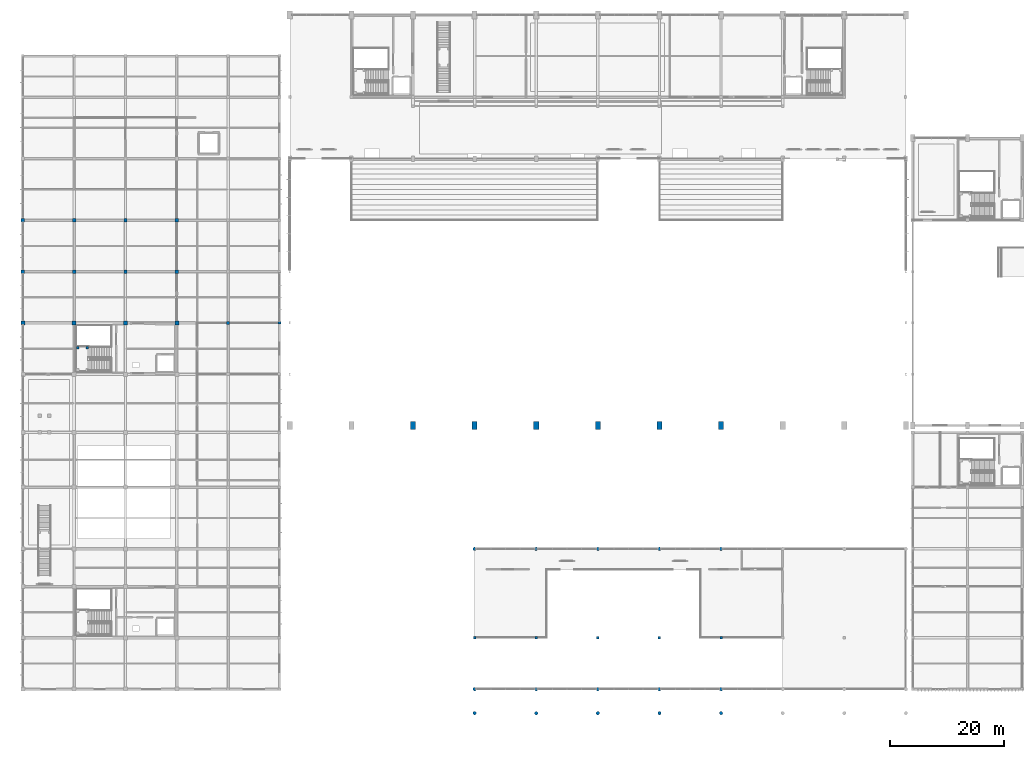
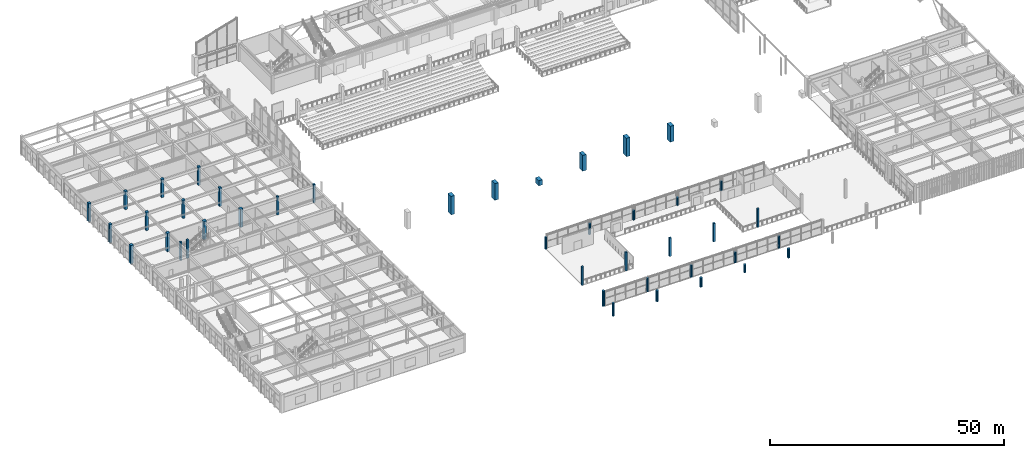
# One storey, part 3 of 74: 42 columns.
"""IFC4 building model written with IfcOpenShell, lengths in metres."""

import ifcopenshell
import ifcopenshell.guid

model = None  # the IFC model being written
_history = None  # IfcOwnerHistory: only IFC2X3 demands one
_inside = {}  # id of a spatial element -> (the spatial element, [elements in it])
_under = {}  # id of a project, library or spatial element -> (it, [spatial elements below it])
_declared = {}  # id of a project -> (the project, [libraries it declares])
_typed = {}  # id of a type object -> (the type object, [elements of that type])
_made_of = {}  # id of a material, layer set ... -> (it, [elements and type objects made of it])


def new_model(schema):
    """Start an empty IFC model of exactly this schema.

    Asked for "IFC4X3", IfcOpenShell would pick the latest addendum, in which some entities
    have other attributes; the version numbers below select the first issue.
    IFC2X3 requires an IfcOwnerHistory on every rooted entity: one is made here for all.
    """
    global model, _history
    if schema == "IFC4X3":
        model = ifcopenshell.file(schema_version=(4, 3, 0, 0))
    else:
        model = ifcopenshell.file(schema=schema)
    _inside.clear()
    _under.clear()
    _declared.clear()
    _typed.clear()
    _made_of.clear()
    _history = None
    if model.schema == "IFC2X3":
        org = make("IfcOrganization", Name="unknown")
        user = make(
            "IfcPersonAndOrganization",
            ThePerson=make("IfcPerson", FamilyName="unknown"),
            TheOrganization=org,
        )
        app = make(
            "IfcApplication",
            ApplicationDeveloper=org,
            Version="unknown",
            ApplicationFullName="unknown",
            ApplicationIdentifier="unknown",
        )
        _history = make(
            "IfcOwnerHistory",
            OwningUser=user,
            OwningApplication=app,
            ChangeAction="ADDED",
            CreationDate=0,
        )
    return model


def make(cls, **values):
    """One entity of the class cls with the attributes given. An attribute that is None is left unset."""
    return model.create_entity(
        cls, **{name: value for name, value in values.items() if value is not None}
    )


def rooted(cls, **values):
    """An entity with a GlobalId (a new one), such as an element, a storey or a relation."""
    return make(cls, GlobalId=ifcopenshell.guid.new(), OwnerHistory=_history, **values)


def si_unit(unit_type, name, prefix=None):
    """IfcSIUnit, for example si_unit("LENGTHUNIT", "METRE", prefix="MILLI")."""
    return make("IfcSIUnit", UnitType=unit_type, Prefix=prefix, Name=name)


def assignment(units):
    """IfcUnitAssignment: the units of a project."""
    return None if units is None else make("IfcUnitAssignment", Units=units)


def point(xyz):
    """IfcCartesianPoint."""
    return None if xyz is None else make("IfcCartesianPoint", Coordinates=xyz)


def direction(xyz):
    """IfcDirection."""
    return None if xyz is None else make("IfcDirection", DirectionRatios=xyz)


def frame(location, z_axis=None, x_axis=None):
    """IfcAxis2Placement3D, a coordinate frame: its origin and axes. An axis left out is left unset."""
    return make(
        "IfcAxis2Placement3D",
        Location=point(location),
        Axis=direction(z_axis),
        RefDirection=direction(x_axis),
    )


def frame_2d(location, x_axis=None):
    """IfcAxis2Placement2D, a coordinate frame in the plane: its origin and x axis."""
    return make(
        "IfcAxis2Placement2D", Location=point(location), RefDirection=direction(x_axis)
    )


def origin():
    """The frame at (0, 0, 0) with its axes left unset."""
    return frame((0.0, 0.0, 0.0))


def origin_2d():
    """The frame at (0, 0) in the plane with its x axis left unset."""
    return frame_2d((0.0, 0.0))


def place(relative_to, where):
    """IfcLocalPlacement: puts the frame where relative to a parent placement (None: the world)."""
    return make(
        "IfcLocalPlacement", PlacementRelTo=relative_to, RelativePlacement=where
    )


def context(
    kind, dimensions, precision=None, world=None, true_north=None, identifier=None
):
    """IfcGeometricRepresentationContext, for example the 3D "Model" context."""
    return make(
        "IfcGeometricRepresentationContext",
        ContextIdentifier=identifier,
        ContextType=kind,
        CoordinateSpaceDimension=dimensions,
        Precision=precision,
        WorldCoordinateSystem=world,
        TrueNorth=true_north,
    )


def subcontext(parent, identifier, kind, view, scale=None):
    """IfcGeometricRepresentationSubContext, for example "Body" below "Model"."""
    return make(
        "IfcGeometricRepresentationSubContext",
        ContextIdentifier=identifier,
        ContextType=kind,
        ParentContext=parent,
        TargetScale=scale,
        TargetView=view,
    )


def project(units=None, contexts=None):
    """IfcProject with its units and contexts."""
    return rooted(
        "IfcProject",
        Name="project",
        RepresentationContexts=contexts,
        UnitsInContext=assignment(units),
    )


def spatial(cls, under=None, at=None, **own):
    """A site, building, storey or space (cls), placed at a placement, below another one or the project."""
    s = rooted(cls, ObjectPlacement=at, **own)
    if under is not None:
        _under.setdefault(under.id(), (under, []))[1].append(s)
    return s


def profile(cls, at=None, kind="AREA", **sizes):
    """A parametric profile (cls). Its sizes go by their IFC names, for example OverallWidth=200.0."""
    return make(cls, ProfileType=kind, Position=at, **sizes)


def rectangle(**sizes):
    """IfcRectangleProfileDef."""
    return profile("IfcRectangleProfileDef", **sizes)


def circle(**sizes):
    """IfcCircleProfileDef."""
    return profile("IfcCircleProfileDef", **sizes)


def extrude(swept, where, along, depth):
    """IfcExtrudedAreaSolid: the profile swept, set in the frame where, extruded along a direction by depth."""
    return make(
        "IfcExtrudedAreaSolid",
        SweptArea=swept,
        Position=where,
        ExtrudedDirection=direction(along),
        Depth=depth,
    )


def shape(context_of_items, identifier, shape_type, items):
    """IfcShapeRepresentation: the items that make up one representation, for example the "Body"."""
    return make(
        "IfcShapeRepresentation",
        ContextOfItems=context_of_items,
        RepresentationIdentifier=identifier,
        RepresentationType=shape_type,
        Items=items,
    )


def material(Name=None, Category=None):
    """IfcMaterial."""
    return make("IfcMaterial", Name=Name, Category=Category)


def material_profile(
    of_material, cross_section, Name=None, Category=None, Priority=None
):
    """IfcMaterialProfile: a cross section and its material."""
    return make(
        "IfcMaterialProfile",
        Name=Name,
        Material=of_material,
        Profile=cross_section,
        Priority=Priority,
        Category=Category,
    )


def profile_set(profiles, Name=None, composite=None):
    """IfcMaterialProfileSet."""
    return make(
        "IfcMaterialProfileSet",
        Name=Name,
        MaterialProfiles=profiles,
        CompositeProfile=composite,
    )


def made_of(thing, what):
    """Note that an element or type object is made of a material, layer set ...; save() writes the relation."""
    if what is not None:
        _made_of.setdefault(what.id(), (what, []))[1].append(thing)
    return thing


def type_object(cls, material=None, **own):
    """A type object (cls), such as IfcWallType, which elements share."""
    return made_of(rooted(cls, **own), material)


def element(
    cls,
    number,
    at=None,
    inside=None,
    cuts=None,
    type_object=None,
    material=None,
    context=None,
    identifier="Body",
    shape_type=None,
    held_by="IfcProductDefinitionShape",
    body=None,
    shapes=None,
    **own,
):
    """One element of the class cls, such as IfcWall. Its Tag is "e" and its number.

    at: its placement. inside: the storey or other place that contains it. cuts: it is an
    opening in that element (IfcRelVoidsElement). A single representation is given by context,
    identifier, shape_type and body (its items); several are given by shapes. held_by: the class
    of the entity that holds the representations. save() writes the other relations.
    """
    e = rooted(cls, Tag="e%d" % number, ObjectPlacement=at, **own)
    if body is not None:
        shapes = [shape(context, identifier, shape_type, body)]
    if shapes is not None:
        e.Representation = make(held_by, Representations=shapes)
    if inside is not None:
        _inside.setdefault(inside.id(), (inside, []))[1].append(e)
    if cuts is not None:
        rooted(
            "IfcRelVoidsElement", RelatingBuildingElement=cuts, RelatedOpeningElement=e
        )
    if type_object is not None:
        _typed.setdefault(type_object.id(), (type_object, []))[1].append(e)
    return made_of(e, material)


def aggregate(whole, parts):
    """IfcRelAggregates: a whole, such as a stair, and the parts it consists of."""
    return rooted("IfcRelAggregates", RelatingObject=whole, RelatedObjects=parts)


def save(model, path):
    """Write the relations noted so far, then the file.

    IfcRelAggregates (storeys below a building ...), IfcRelContainedInSpatialStructure (elements
    in a storey), IfcRelDefinesByType, IfcRelAssociatesMaterial and IfcRelDeclares: one each for
    every whole, place, type object, material and project.
    """
    for whole, parts in _under.values():
        aggregate(whole, parts)
    for where, things in _inside.values():
        rooted(
            "IfcRelContainedInSpatialStructure",
            RelatedElements=things,
            RelatingStructure=where,
        )
    for kind, things in _typed.values():
        rooted("IfcRelDefinesByType", RelatedObjects=things, RelatingType=kind)
    for what, things in _made_of.values():
        rooted("IfcRelAssociatesMaterial", RelatedObjects=things, RelatingMaterial=what)
    for by, libraries in _declared.values():
        rooted("IfcRelDeclares", RelatingContext=by, RelatedDefinitions=libraries)
    model.write(path)


model = new_model("IFC4")

# Units and contexts
model_context = context("Model", 3, precision=1e-05, world=origin(), true_north=direction((0.0, 1.0)))
body_context = subcontext(model_context, "Body", "Model", "MODEL_VIEW")
ifc_project = project(units=[si_unit("LENGTHUNIT", "METRE"), si_unit("AREAUNIT", "SQUARE_METRE"), si_unit("VOLUMEUNIT", "CUBIC_METRE"), si_unit("PLANEANGLEUNIT", "RADIAN"), si_unit("MASSUNIT", "GRAM", prefix="KILO")], contexts=[model_context])

# Site, building, storey
site_placement = place(None, origin())
site = spatial("IfcSite", under=ifc_project, at=site_placement, CompositionType="ELEMENT")
building_placement = place(site_placement, origin())
building = spatial("IfcBuilding", under=site, at=building_placement, Name="Suirenkawa Promenade Aquatics Centre", CompositionType="ELEMENT")
storey_placement = place(building_placement, frame((0.0, 0.0, 4.800048828125)))
storey = spatial("IfcBuildingStorey", under=building, at=storey_placement, Name="L01", CompositionType="ELEMENT", Elevation=4.800048828125)

# Columns
ifc_material = material(Name="Concrete M40", Category="concrete")
ifc_material_profile_1 = material_profile(ifc_material, circle(Radius=0.300048828125, at=origin_2d()), Name="RC FOYER D600", Category="concrete")
ifc_profile_set_1 = profile_set([ifc_material_profile_1], Name="Concrete M40")
column_type_1 = type_object("IfcColumnType", Name="CT-FOYER-D600", PredefinedType="COLUMN", material=ifc_profile_set_1)
column_1_placement = place(storey_placement, frame((79.199951171875, 0.0, 0.0), z_axis=(0.0, 0.0, 1.0), x_axis=(1.0, 0.0, 0.0)))
element("IfcColumn", 1, at=column_1_placement, inside=storey, type_object=column_type_1, Name="Column CL-11 COL-0805", PredefinedType="COLUMN", context=body_context, shape_type="SweptSolid", body=[
    extrude(circle(Radius=0.300048828125, at=origin_2d()), origin(), (0.0, 0.0, 1.0), 3.324951171875),
])
column_2_placement = place(storey_placement, frame((79.199951171875, 4.199951171875, 0.0), z_axis=(0.0, 0.0, 1.0), x_axis=(1.0, 0.0, 0.0)))
element("IfcColumn", 2, at=column_2_placement, inside=storey, type_object=column_type_1, Name="Column CL-11 COL-0808", PredefinedType="COLUMN", context=body_context, shape_type="SweptSolid", body=[
    extrude(circle(Radius=0.300048828125, at=origin_2d()), origin(), (0.0, 0.0, 1.0), 4.0),
])
column_3_placement = place(storey_placement, frame((79.199951171875, 28.800048828125, 0.0), z_axis=(0.0, 0.0, 1.0), x_axis=(1.0, 0.0, 0.0)))
element("IfcColumn", 3, at=column_3_placement, inside=storey, type_object=column_type_1, Name="Column CL-11 COL-0814", PredefinedType="COLUMN", context=body_context, shape_type="SweptSolid", body=[
    extrude(circle(Radius=0.300048828125, at=origin_2d()), origin(), (0.0, 0.0, 1.0), 3.02490234375),
])
column_4_placement = place(storey_placement, frame((90.0, 0.0, 0.0), z_axis=(0.0, 0.0, 1.0), x_axis=(1.0, 0.0, 0.0)))
element("IfcColumn", 4, at=column_4_placement, inside=storey, type_object=column_type_1, Name="Column CL-11 COL-0817", PredefinedType="COLUMN", context=body_context, shape_type="SweptSolid", body=[
    extrude(circle(Radius=0.300048828125, at=origin_2d()), origin(), (0.0, 0.0, 1.0), 2.875),
])
column_5_placement = place(storey_placement, frame((90.0, 4.199951171875, 0.0), z_axis=(0.0, 0.0, 1.0), x_axis=(1.0, 0.0, 0.0)))
element("IfcColumn", 5, at=column_5_placement, inside=storey, type_object=column_type_1, Name="Column CL-11 COL-0820", PredefinedType="COLUMN", context=body_context, shape_type="SweptSolid", body=[
    extrude(circle(Radius=0.300048828125, at=origin_2d()), origin(), (0.0, 0.0, 1.0), 3.550048828125),
])
column_6_placement = place(storey_placement, frame((90.0, 28.800048828125, 0.0), z_axis=(0.0, 0.0, 1.0), x_axis=(1.0, 0.0, 0.0)))
element("IfcColumn", 6, at=column_6_placement, inside=storey, type_object=column_type_1, Name="Column CL-11 COL-0826", PredefinedType="COLUMN", context=body_context, shape_type="SweptSolid", body=[
    extrude(circle(Radius=0.300048828125, at=origin_2d()), origin(), (0.0, 0.0, 1.0), 2.8349609375),
])
column_7_placement = place(storey_placement, frame((100.800048828125, 0.0, 0.0), z_axis=(0.0, 0.0, 1.0), x_axis=(1.0, 0.0, 0.0)))
element("IfcColumn", 7, at=column_7_placement, inside=storey, type_object=column_type_1, Name="Column CL-11 COL-0829", PredefinedType="COLUMN", context=body_context, shape_type="SweptSolid", body=[
    extrude(circle(Radius=0.300048828125, at=origin_2d()), origin(), (0.0, 0.0, 1.0), 2.425048828125),
])
column_8_placement = place(storey_placement, frame((100.800048828125, 4.199951171875, 0.0), z_axis=(0.0, 0.0, 1.0), x_axis=(1.0, 0.0, 0.0)))
element("IfcColumn", 8, at=column_8_placement, inside=storey, type_object=column_type_1, Name="Column CL-11 COL-0832", PredefinedType="COLUMN", context=body_context, shape_type="SweptSolid", body=[
    extrude(circle(Radius=0.300048828125, at=origin_2d()), origin(), (0.0, 0.0, 1.0), 3.099853515625),
])
column_9_placement = place(storey_placement, frame((100.800048828125, 28.800048828125, 0.0), z_axis=(0.0, 0.0, 1.0), x_axis=(1.0, 0.0, 0.0)))
element("IfcColumn", 9, at=column_9_placement, inside=storey, type_object=column_type_1, Name="Column CL-11 COL-0838", PredefinedType="COLUMN", context=body_context, shape_type="SweptSolid", body=[
    extrude(circle(Radius=0.300048828125, at=origin_2d()), origin(), (0.0, 0.0, 1.0), 2.474853515625),
])
column_10_placement = place(storey_placement, frame((111.60009765625, 0.0, 0.0), z_axis=(0.0, 0.0, 1.0), x_axis=(1.0, 0.0, 0.0)))
element("IfcColumn", 10, at=column_10_placement, inside=storey, type_object=column_type_1, Name="Column CL-11 COL-0841", PredefinedType="COLUMN", context=body_context, shape_type="SweptSolid", body=[
    extrude(circle(Radius=0.300048828125, at=origin_2d()), origin(), (0.0, 0.0, 1.0), 2.02490234375),
])
column_11_placement = place(storey_placement, frame((111.60009765625, 4.199951171875, 0.0), z_axis=(0.0, 0.0, 1.0), x_axis=(1.0, 0.0, 0.0)))
element("IfcColumn", 11, at=column_11_placement, inside=storey, type_object=column_type_1, Name="Column CL-11 COL-0844", PredefinedType="COLUMN", context=body_context, shape_type="SweptSolid", body=[
    extrude(circle(Radius=0.300048828125, at=origin_2d()), origin(), (0.0, 0.0, 1.0), 2.699951171875),
])
column_12_placement = place(storey_placement, frame((111.60009765625, 28.800048828125, 0.0), z_axis=(0.0, 0.0, 1.0), x_axis=(1.0, 0.0, 0.0)))
element("IfcColumn", 12, at=column_12_placement, inside=storey, type_object=column_type_1, Name="Column CL-11 COL-0850", PredefinedType="COLUMN", context=body_context, shape_type="SweptSolid", body=[
    extrude(circle(Radius=0.300048828125, at=origin_2d()), origin(), (0.0, 0.0, 1.0), 2.074951171875),
])
column_13_placement = place(storey_placement, frame((122.39990234375, 0.0, 0.0), z_axis=(0.0, 0.0, 1.0), x_axis=(1.0, 0.0, 0.0)))
element("IfcColumn", 13, at=column_13_placement, inside=storey, type_object=column_type_1, Name="Column CL-11 COL-0853", PredefinedType="COLUMN", context=body_context, shape_type="SweptSolid", body=[
    extrude(circle(Radius=0.300048828125, at=origin_2d()), origin(), (0.0, 0.0, 1.0), 2.425048828125),
])
column_14_placement = place(storey_placement, frame((122.39990234375, 4.199951171875, 0.0), z_axis=(0.0, 0.0, 1.0), x_axis=(1.0, 0.0, 0.0)))
element("IfcColumn", 14, at=column_14_placement, inside=storey, type_object=column_type_1, Name="Column CL-11 COL-0856", PredefinedType="COLUMN", context=body_context, shape_type="SweptSolid", body=[
    extrude(circle(Radius=0.300048828125, at=origin_2d()), origin(), (0.0, 0.0, 1.0), 3.099853515625),
])
column_15_placement = place(storey_placement, frame((122.39990234375, 28.800048828125, 0.0), z_axis=(0.0, 0.0, 1.0), x_axis=(1.0, 0.0, 0.0)))
element("IfcColumn", 15, at=column_15_placement, inside=storey, type_object=column_type_1, Name="Column CL-11 COL-0862", PredefinedType="COLUMN", context=body_context, shape_type="SweptSolid", body=[
    extrude(circle(Radius=0.300048828125, at=origin_2d()), origin(), (0.0, 0.0, 1.0), 2.474853515625),
])
ifc_material_profile_2 = material_profile(ifc_material, rectangle(XDim=0.89990234375, YDim=1.39990234375, at=origin_2d()), Name="RC PIER 900x1400", Category="concrete")
ifc_profile_set_2 = profile_set([ifc_material_profile_2], Name="Concrete M40")
column_type_2 = type_object("IfcColumnType", Name="CT-PIER-900x1400", PredefinedType="COLUMN", material=ifc_profile_set_2)
for number, where, z_axis, x_axis, name in (
    (16, (68.39990234375, 50.39990234375, 0.0), (0.0, 0.0, 1.0), (1.0, 0.0, 0.0), "Column CL-09 COL-0046"),
    (17, (111.60009765625, 50.39990234375, 0.0), (0.0, 0.0, 1.0), (1.0, 0.0, 0.0), "Column CL-09 COL-0062"),
):
    element("IfcColumn", number, at=place(storey_placement, frame(where, z_axis=z_axis, x_axis=x_axis)), inside=storey, type_object=column_type_2, Name=name, PredefinedType="COLUMN", context=body_context, shape_type="SweptSolid", body=[
        extrude(rectangle(XDim=0.89990234375, YDim=1.39990234375, at=origin_2d()), origin(), (0.0, 0.0, 1.0), 4.800048828125),
    ])
column_16_placement = place(storey_placement, frame((79.199951171875, 50.39990234375, 0.0), z_axis=(0.0, 0.0, 1.0), x_axis=(1.0, 0.0, 0.0)))
element("IfcColumn", 18, at=column_16_placement, inside=storey, type_object=column_type_2, Name="Column CL-09 COL-0117", PredefinedType="COLUMN", context=body_context, shape_type="SweptSolid", body=[
    extrude(rectangle(XDim=0.89990234375, YDim=1.39990234375, at=origin_2d()), origin(), (0.0, 0.0, 1.0), 4.324951171875),
])
column_17_placement = place(storey_placement, frame((90.0, 50.39990234375, 0.0), z_axis=(0.0, 0.0, 1.0), x_axis=(1.0, 0.0, 0.0)))
element("IfcColumn", 19, at=column_17_placement, inside=storey, type_object=column_type_2, Name="Column CL-09 COL-0123", PredefinedType="COLUMN", context=body_context, shape_type="SweptSolid", body=[
    extrude(rectangle(XDim=0.89990234375, YDim=1.39990234375, at=origin_2d()), origin(), (0.0, 0.0, 1.0), 1.324951171875),
])
for number, where, z_axis, x_axis, name in (
    (20, (100.800048828125, 50.39990234375, 0.0), (0.0, 0.0, 1.0), (1.0, 0.0, 0.0), "Column CL-09 COL-0129"),
    (21, (122.39990234375, 50.39990234375, 0.0), (0.0, 0.0, 1.0), (1.0, 0.0, 0.0), "Column CL-09 COL-0138"),
):
    element("IfcColumn", number, at=place(storey_placement, frame(where, z_axis=z_axis, x_axis=x_axis)), inside=storey, type_object=column_type_2, Name=name, PredefinedType="COLUMN", context=body_context, shape_type="SweptSolid", body=[
        extrude(rectangle(XDim=0.89990234375, YDim=1.39990234375, at=origin_2d()), origin(), (0.0, 0.0, 1.0), 4.125),
    ])
ifc_material_profile_3 = material_profile(ifc_material, rectangle(XDim=0.449951171875, YDim=0.449951171875, at=origin_2d()), Name="RC COL 450x450", Category="concrete")
ifc_profile_set_3 = profile_set([ifc_material_profile_3], Name="Concrete M40")
column_type_3 = type_object("IfcColumnType", Name="CT-RC-450", PredefinedType="COLUMN", material=ifc_profile_set_3)
for number, where, z_axis, x_axis, name in (
    (22, (45.0, 68.39990234375, 0.0), (0.0, 0.0, 1.0), (1.0, 0.0, 0.0), "Column CL-01 COL-0739"),
    (23, (79.199951171875, 13.199951171875, 0.0), (0.0, 0.0, 1.0), (1.0, 0.0, 0.0), "Column CL-01 COL-0811"),
    (24, (90.0, 13.199951171875, 0.0), (0.0, 0.0, 1.0), (1.0, 0.0, 0.0), "Column CL-01 COL-0823"),
    (25, (100.800048828125, 13.199951171875, 0.0), (0.0, 0.0, 1.0), (1.0, 0.0, 0.0), "Column CL-01 COL-0835"),
    (26, (111.60009765625, 13.199951171875, 0.0), (0.0, 0.0, 1.0), (1.0, 0.0, 0.0), "Column CL-01 COL-0847"),
    (27, (122.39990234375, 13.199951171875, 0.0), (0.0, 0.0, 1.0), (1.0, 0.0, 0.0), "Column CL-01 COL-0859"),
    (28, (9.64990234375, 64.06005859375, 0.0), (0.0, 0.0, 1.0), (1.0, 0.0, 0.0), "Core stair landing column CL-01 COL-CR-C2-L01-3"),
    (29, (11.300048828125, 64.06005859375, 0.0), (0.0, 0.0, 1.0), (1.0, 0.0, 0.0), "Core stair landing column CL-01 COL-CR-C2-L01-4"),
):
    element("IfcColumn", number, at=place(storey_placement, frame(where, z_axis=z_axis, x_axis=x_axis)), inside=storey, type_object=column_type_3, Name=name, PredefinedType="COLUMN", context=body_context, shape_type="SweptSolid", body=[
        extrude(rectangle(XDim=0.449951171875, YDim=0.449951171875, at=origin_2d()), origin(), (0.0, 0.0, 1.0), 4.800048828125),
    ])
ifc_material_profile_4 = material_profile(ifc_material, rectangle(XDim=0.5, YDim=0.5, at=origin_2d()), Name="RC COL 500x500", Category="concrete")
ifc_profile_set_4 = profile_set([ifc_material_profile_4], Name="Concrete M40")
column_type_4 = type_object("IfcColumnType", Name="CT-RC-500", PredefinedType="COLUMN", material=ifc_profile_set_4)
column_18_placement = place(storey_placement, frame((36.0, 68.39990234375, 0.0), z_axis=(0.0, 0.0, 1.0), x_axis=(1.0, 0.0, 0.0)))
element("IfcColumn", 30, at=column_18_placement, inside=storey, type_object=column_type_4, Name="Column CL-02 COL-0554", PredefinedType="COLUMN", context=body_context, shape_type="SweptSolid", body=[
    extrude(rectangle(XDim=0.5, YDim=0.5, at=origin_2d()), origin(), (0.0, 0.0, 1.0), 4.800048828125),
])
ifc_material_profile_5 = material_profile(ifc_material, rectangle(XDim=0.60009765625, YDim=0.60009765625, at=origin_2d()), Name="RC COL 600x600", Category="concrete")
ifc_profile_set_5 = profile_set([ifc_material_profile_5], Name="Concrete M40")
column_type_5 = type_object("IfcColumnType", Name="CT-RC-600", PredefinedType="COLUMN", material=ifc_profile_set_5)
for number, where, z_axis, x_axis, name in (
    (31, (0.0, 77.39990234375, 0.0), (0.0, 0.0, 1.0), (1.0, 0.0, 0.0), "Column CL-03 COL-0354"),
    (32, (0.0, 86.39990234375, 0.0), (0.0, 0.0, 1.0), (1.0, 0.0, 0.0), "Column CL-03 COL-0359"),
    (33, (9.0, 77.39990234375, 0.0), (0.0, 0.0, 1.0), (1.0, 0.0, 0.0), "Column CL-03 COL-0369"),
    (34, (9.0, 86.39990234375, 0.0), (0.0, 0.0, 1.0), (1.0, 0.0, 0.0), "Column CL-03 COL-0374"),
    (35, (18.0, 77.39990234375, 0.0), (0.0, 0.0, 1.0), (1.0, 0.0, 0.0), "Column CL-03 COL-0384"),
    (36, (18.0, 86.39990234375, 0.0), (0.0, 0.0, 1.0), (1.0, 0.0, 0.0), "Column CL-03 COL-0389"),
    (37, (27.0, 77.39990234375, 0.0), (0.0, 0.0, 1.0), (1.0, 0.0, 0.0), "Column CL-03 COL-0399"),
    (38, (27.0, 86.39990234375, 0.0), (0.0, 0.0, 1.0), (1.0, 0.0, 0.0), "Column CL-03 COL-0404"),
):
    element("IfcColumn", number, at=place(storey_placement, frame(where, z_axis=z_axis, x_axis=x_axis)), inside=storey, type_object=column_type_5, Name=name, PredefinedType="COLUMN", context=body_context, shape_type="SweptSolid", body=[
        extrude(rectangle(XDim=0.60009765625, YDim=0.60009765625, at=origin_2d()), origin(), (0.0, 0.0, 1.0), 4.800048828125),
    ])
ifc_material_profile_6 = material_profile(ifc_material, rectangle(XDim=0.699951171875, YDim=0.699951171875, at=origin_2d()), Name="RC COL 700x700", Category="concrete")
ifc_profile_set_6 = profile_set([ifc_material_profile_6], Name="Concrete M40")
column_type_6 = type_object("IfcColumnType", Name="CT-RC-700", PredefinedType="COLUMN", material=ifc_profile_set_6)
for number, where, z_axis, x_axis, name in (
    (39, (0.0, 68.39990234375, 0.0), (0.0, 0.0, 1.0), (1.0, 0.0, 0.0), "Column CL-04 COL-0204"),
    (40, (9.0, 68.39990234375, 0.0), (0.0, 0.0, 1.0), (1.0, 0.0, 0.0), "Column CL-04 COL-0252"),
    (41, (18.0, 68.39990234375, 0.0), (0.0, 0.0, 1.0), (1.0, 0.0, 0.0), "Column CL-04 COL-0300"),
    (42, (27.0, 68.39990234375, 0.0), (0.0, 0.0, 1.0), (1.0, 0.0, 0.0), "Column CL-04 COL-0348"),
):
    element("IfcColumn", number, at=place(storey_placement, frame(where, z_axis=z_axis, x_axis=x_axis)), inside=storey, type_object=column_type_6, Name=name, PredefinedType="COLUMN", context=body_context, shape_type="SweptSolid", body=[
        extrude(rectangle(XDim=0.699951171875, YDim=0.699951171875, at=origin_2d()), origin(), (0.0, 0.0, 1.0), 4.800048828125),
    ])

save(model, "model.ifc")
